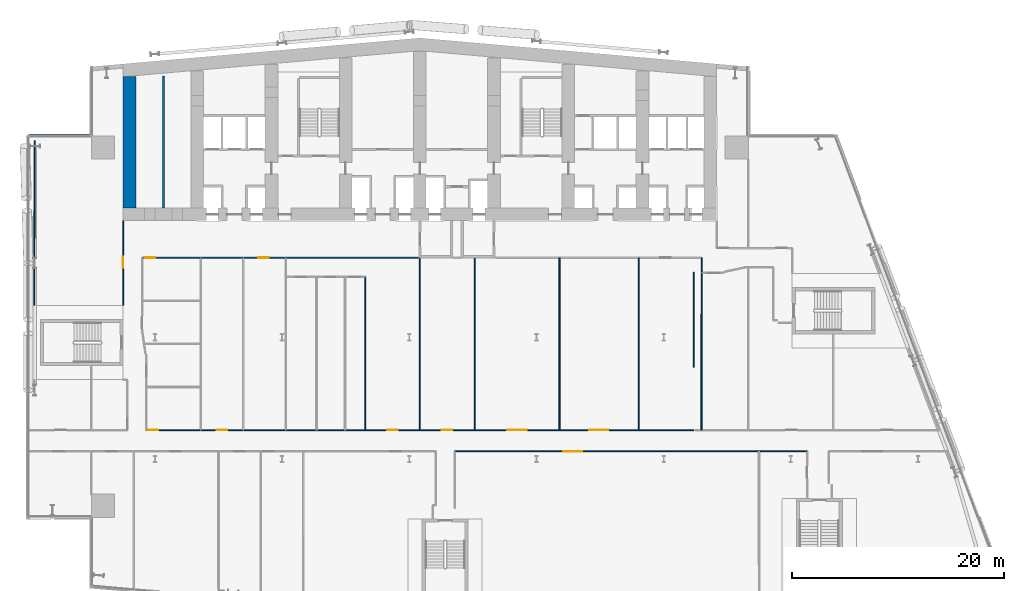
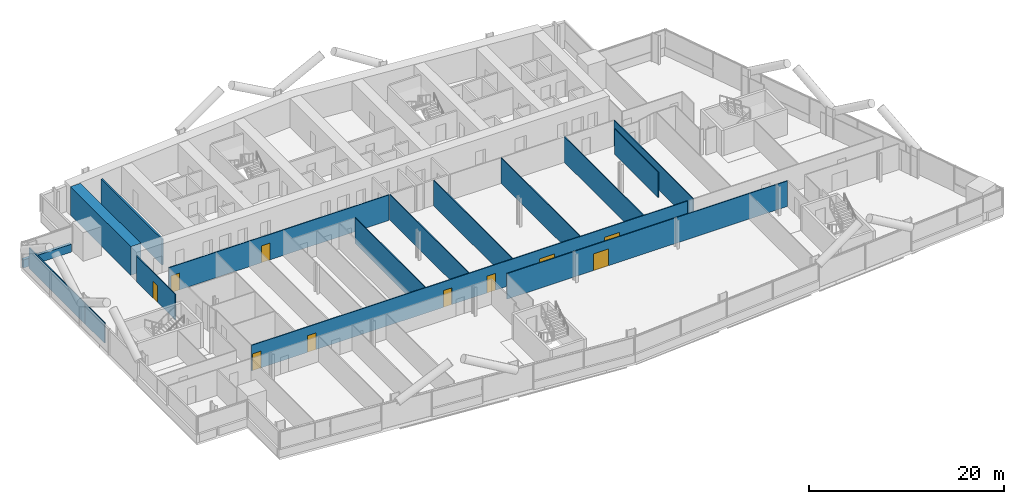
# One storey, part 15 of 27: 16 walls, 10 doors, 10 openings.
"""IFC4 building model written with IfcOpenShell, lengths in metres."""

import ifcopenshell
import ifcopenshell.guid

model = None  # the IFC model being written
_history = None  # IfcOwnerHistory: only IFC2X3 demands one
_inside = {}  # id of a spatial element -> (the spatial element, [elements in it])
_under = {}  # id of a project, library or spatial element -> (it, [spatial elements below it])
_declared = {}  # id of a project -> (the project, [libraries it declares])
_typed = {}  # id of a type object -> (the type object, [elements of that type])
_made_of = {}  # id of a material, layer set ... -> (it, [elements and type objects made of it])


def new_model(schema):
    """Start an empty IFC model of exactly this schema.

    Asked for "IFC4X3", IfcOpenShell would pick the latest addendum, in which some entities
    have other attributes; the version numbers below select the first issue.
    IFC2X3 requires an IfcOwnerHistory on every rooted entity: one is made here for all.
    """
    global model, _history
    if schema == "IFC4X3":
        model = ifcopenshell.file(schema_version=(4, 3, 0, 0))
    else:
        model = ifcopenshell.file(schema=schema)
    _inside.clear()
    _under.clear()
    _declared.clear()
    _typed.clear()
    _made_of.clear()
    _history = None
    if model.schema == "IFC2X3":
        org = make("IfcOrganization", Name="unknown")
        user = make(
            "IfcPersonAndOrganization",
            ThePerson=make("IfcPerson", FamilyName="unknown"),
            TheOrganization=org,
        )
        app = make(
            "IfcApplication",
            ApplicationDeveloper=org,
            Version="unknown",
            ApplicationFullName="unknown",
            ApplicationIdentifier="unknown",
        )
        _history = make(
            "IfcOwnerHistory",
            OwningUser=user,
            OwningApplication=app,
            ChangeAction="ADDED",
            CreationDate=0,
        )
    return model


def make(cls, **values):
    """One entity of the class cls with the attributes given. An attribute that is None is left unset."""
    return model.create_entity(
        cls, **{name: value for name, value in values.items() if value is not None}
    )


def rooted(cls, **values):
    """An entity with a GlobalId (a new one), such as an element, a storey or a relation."""
    return make(cls, GlobalId=ifcopenshell.guid.new(), OwnerHistory=_history, **values)


def si_unit(unit_type, name, prefix=None):
    """IfcSIUnit, for example si_unit("LENGTHUNIT", "METRE", prefix="MILLI")."""
    return make("IfcSIUnit", UnitType=unit_type, Prefix=prefix, Name=name)


def assignment(units):
    """IfcUnitAssignment: the units of a project."""
    return None if units is None else make("IfcUnitAssignment", Units=units)


def point(xyz):
    """IfcCartesianPoint."""
    return None if xyz is None else make("IfcCartesianPoint", Coordinates=xyz)


def direction(xyz):
    """IfcDirection."""
    return None if xyz is None else make("IfcDirection", DirectionRatios=xyz)


def frame(location, z_axis=None, x_axis=None):
    """IfcAxis2Placement3D, a coordinate frame: its origin and axes. An axis left out is left unset."""
    return make(
        "IfcAxis2Placement3D",
        Location=point(location),
        Axis=direction(z_axis),
        RefDirection=direction(x_axis),
    )


def frame_2d(location, x_axis=None):
    """IfcAxis2Placement2D, a coordinate frame in the plane: its origin and x axis."""
    return make(
        "IfcAxis2Placement2D", Location=point(location), RefDirection=direction(x_axis)
    )


def origin():
    """The frame at (0, 0, 0) with its axes left unset."""
    return frame((0.0, 0.0, 0.0))


def place(relative_to, where):
    """IfcLocalPlacement: puts the frame where relative to a parent placement (None: the world)."""
    return make(
        "IfcLocalPlacement", PlacementRelTo=relative_to, RelativePlacement=where
    )


def context(
    kind, dimensions, precision=None, world=None, true_north=None, identifier=None
):
    """IfcGeometricRepresentationContext, for example the 3D "Model" context."""
    return make(
        "IfcGeometricRepresentationContext",
        ContextIdentifier=identifier,
        ContextType=kind,
        CoordinateSpaceDimension=dimensions,
        Precision=precision,
        WorldCoordinateSystem=world,
        TrueNorth=true_north,
    )


def subcontext(parent, identifier, kind, view, scale=None):
    """IfcGeometricRepresentationSubContext, for example "Body" below "Model"."""
    return make(
        "IfcGeometricRepresentationSubContext",
        ContextIdentifier=identifier,
        ContextType=kind,
        ParentContext=parent,
        TargetScale=scale,
        TargetView=view,
    )


def project(units=None, contexts=None):
    """IfcProject with its units and contexts."""
    return rooted(
        "IfcProject",
        Name="project",
        RepresentationContexts=contexts,
        UnitsInContext=assignment(units),
    )


def spatial(cls, under=None, at=None, **own):
    """A site, building, storey or space (cls), placed at a placement, below another one or the project."""
    s = rooted(cls, ObjectPlacement=at, **own)
    if under is not None:
        _under.setdefault(under.id(), (under, []))[1].append(s)
    return s


def profile(cls, at=None, kind="AREA", **sizes):
    """A parametric profile (cls). Its sizes go by their IFC names, for example OverallWidth=200.0."""
    return make(cls, ProfileType=kind, Position=at, **sizes)


def rectangle(**sizes):
    """IfcRectangleProfileDef."""
    return profile("IfcRectangleProfileDef", **sizes)


def extrude(swept, where, along, depth):
    """IfcExtrudedAreaSolid: the profile swept, set in the frame where, extruded along a direction by depth."""
    return make(
        "IfcExtrudedAreaSolid",
        SweptArea=swept,
        Position=where,
        ExtrudedDirection=direction(along),
        Depth=depth,
    )


def shape(context_of_items, identifier, shape_type, items):
    """IfcShapeRepresentation: the items that make up one representation, for example the "Body"."""
    return make(
        "IfcShapeRepresentation",
        ContextOfItems=context_of_items,
        RepresentationIdentifier=identifier,
        RepresentationType=shape_type,
        Items=items,
    )


def material(Name=None, Category=None):
    """IfcMaterial."""
    return make("IfcMaterial", Name=Name, Category=Category)


def layer(
    of_material, thickness, ventilated=None, Name=None, Category=None, Priority=None
):
    """IfcMaterialLayer: one layer of a wall or slab, of a material (None: an air gap)."""
    return make(
        "IfcMaterialLayer",
        Material=of_material,
        LayerThickness=thickness,
        IsVentilated=ventilated,
        Name=Name,
        Category=Category,
        Priority=Priority,
    )


def layer_set(layers, Name=None):
    """IfcMaterialLayerSet."""
    return make("IfcMaterialLayerSet", MaterialLayers=layers, LayerSetName=Name)


def made_of(thing, what):
    """Note that an element or type object is made of a material, layer set ...; save() writes the relation."""
    if what is not None:
        _made_of.setdefault(what.id(), (what, []))[1].append(thing)
    return thing


def type_object(cls, material=None, **own):
    """A type object (cls), such as IfcWallType, which elements share."""
    return made_of(rooted(cls, **own), material)


def element(
    cls,
    number,
    at=None,
    inside=None,
    cuts=None,
    type_object=None,
    material=None,
    context=None,
    identifier="Body",
    shape_type=None,
    held_by="IfcProductDefinitionShape",
    body=None,
    shapes=None,
    **own,
):
    """One element of the class cls, such as IfcWall. Its Tag is "e" and its number.

    at: its placement. inside: the storey or other place that contains it. cuts: it is an
    opening in that element (IfcRelVoidsElement). A single representation is given by context,
    identifier, shape_type and body (its items); several are given by shapes. held_by: the class
    of the entity that holds the representations. save() writes the other relations.
    """
    e = rooted(cls, Tag="e%d" % number, ObjectPlacement=at, **own)
    if body is not None:
        shapes = [shape(context, identifier, shape_type, body)]
    if shapes is not None:
        e.Representation = make(held_by, Representations=shapes)
    if inside is not None:
        _inside.setdefault(inside.id(), (inside, []))[1].append(e)
    if cuts is not None:
        rooted(
            "IfcRelVoidsElement", RelatingBuildingElement=cuts, RelatedOpeningElement=e
        )
    if type_object is not None:
        _typed.setdefault(type_object.id(), (type_object, []))[1].append(e)
    return made_of(e, material)


def fill(opening, filler):
    """IfcRelFillsElement: the door or window that sits in an opening."""
    return rooted(
        "IfcRelFillsElement",
        RelatingOpeningElement=opening,
        RelatedBuildingElement=filler,
    )


def aggregate(whole, parts):
    """IfcRelAggregates: a whole, such as a stair, and the parts it consists of."""
    return rooted("IfcRelAggregates", RelatingObject=whole, RelatedObjects=parts)


def save(model, path):
    """Write the relations noted so far, then the file.

    IfcRelAggregates (storeys below a building ...), IfcRelContainedInSpatialStructure (elements
    in a storey), IfcRelDefinesByType, IfcRelAssociatesMaterial and IfcRelDeclares: one each for
    every whole, place, type object, material and project.
    """
    for whole, parts in _under.values():
        aggregate(whole, parts)
    for where, things in _inside.values():
        rooted(
            "IfcRelContainedInSpatialStructure",
            RelatedElements=things,
            RelatingStructure=where,
        )
    for kind, things in _typed.values():
        rooted("IfcRelDefinesByType", RelatedObjects=things, RelatingType=kind)
    for what, things in _made_of.values():
        rooted("IfcRelAssociatesMaterial", RelatedObjects=things, RelatingMaterial=what)
    for by, libraries in _declared.values():
        rooted("IfcRelDeclares", RelatingContext=by, RelatedDefinitions=libraries)
    model.write(path)


model = new_model("IFC4")

# Units and contexts
model_context = context("Model", 3, precision=1e-05, world=origin(), true_north=direction((0.0, 1.0)))
body_context = subcontext(model_context, "Body", "Model", "MODEL_VIEW")
ifc_project = project(units=[si_unit("LENGTHUNIT", "METRE"), si_unit("AREAUNIT", "SQUARE_METRE"), si_unit("VOLUMEUNIT", "CUBIC_METRE"), si_unit("PLANEANGLEUNIT", "RADIAN"), si_unit("MASSUNIT", "GRAM", prefix="KILO")], contexts=[model_context])

# Site, building, storey
site_placement = place(None, origin())
site = spatial("IfcSite", under=ifc_project, at=site_placement, CompositionType="ELEMENT")
building_placement = place(site_placement, origin())
building = spatial("IfcBuilding", under=site, at=building_placement, Name="Wharfspan Tower", CompositionType="ELEMENT")
storey_placement = place(building_placement, frame((0.0, 0.0, 45.100098)))
storey = spatial("IfcBuildingStorey", under=building, at=storey_placement, Name="L07", CompositionType="ELEMENT", Elevation=45.100098)

# Wall, opening, door
ifc_material_1 = material(Name="Gypsum board on steel studs", Category="steel")
ifc_layer_1 = layer(ifc_material_1, 0.100098)
ifc_layer_set_1 = layer_set([ifc_layer_1], Name="Gypsum board on steel studs")
wall_type_1 = type_object("IfcWallType", Name="Compartment wall 100 EI 60", PredefinedType="PARTITIONING", material=ifc_layer_set_1)
wall_1_placement = place(storey_placement, frame((9.0, 26.02002, 0.0), z_axis=(0.0, 0.0, 1.0), x_axis=(0.0, 1.0, 0.0)))
wall_1 = element("IfcWall", 1, at=wall_1_placement, inside=storey, type_object=wall_type_1, Name="Partition L07.w008", PredefinedType="PARTITIONING", context=body_context, shape_type="SweptSolid", body=[
    extrude(rectangle(XDim=7.959961, YDim=0.100098, at=frame_2d((3.97998, 0.0))), origin(), (0.0, 0.0, 1.0), 3.199951),
])
opening_1_placement = place(wall_1_placement, frame((3.560059, 0.0, 0.0)))
opening_1 = element("IfcOpeningElement", 2, at=opening_1_placement, cuts=wall_1, Name="Opening A1-26", PredefinedType="OPENING", context=body_context, shape_type="SweptSolid", body=[
    extrude(rectangle(XDim=1.0, YDim=2.100098, at=frame_2d((0.5, 1.050049))), frame((0.0, 0.060059, 0.0), z_axis=(0.0, -1.0, 0.0), x_axis=(1.0, 0.0, 0.0)), (0.0, 0.0, 1.0), 0.120117),
])
ifc_material_2 = material(Name="Fire-rated timber door leaf in steel frame", Category="steel")
door_type_1 = type_object("IfcDoorType", Name="Door 1000 FD30S Right", OperationType="SINGLE_SWING_RIGHT", PredefinedType="DOOR", material=ifc_material_2)
door_1_placement = place(opening_1_placement, origin())
door_1 = element("IfcDoor", 3, at=door_1_placement, inside=storey, type_object=door_type_1, Name="Door A1-26", OperationType="SINGLE_SWING_RIGHT", OverallHeight=2.100098, OverallWidth=1.0, PredefinedType="DOOR", context=body_context, shape_type="SweptSolid", body=[
    extrude(rectangle(XDim=1.0, YDim=2.100098, at=frame_2d((0.5, 1.050049))), frame((0.0, 0.024902, 0.0), z_axis=(0.0, -1.0, 0.0), x_axis=(1.0, 0.0, 0.0)), (0.0, 0.0, 1.0), 0.050049),
])
fill(opening_1, door_1)

# Wall, openings, doors
wall_2_placement = place(storey_placement, frame((10.800049, 30.5, 0.0), z_axis=(0.0, 0.0, 1.0), x_axis=(1.0, 0.0, 0.0)))
wall_2 = element("IfcWall", 4, at=wall_2_placement, inside=storey, type_object=wall_type_1, Name="Partition L07.w014", PredefinedType="PARTITIONING", context=body_context, shape_type="SweptSolid", body=[
    extrude(rectangle(XDim=26.050049, YDim=0.100098, at=frame_2d((13.024902, 0.0))), origin(), (0.0, 0.0, 1.0), 3.199951),
])
opening_2_placement = place(wall_2_placement, frame((0.235107, 0.0, 0.0)))
opening_2 = element("IfcOpeningElement", 5, at=opening_2_placement, cuts=wall_2, Name="Opening A1-27", PredefinedType="OPENING", context=body_context, shape_type="SweptSolid", body=[
    extrude(rectangle(XDim=1.0, YDim=2.100098, at=frame_2d((0.5, 1.050049))), frame((0.0, 0.060059, 0.0), z_axis=(0.0, -1.0, 0.0), x_axis=(1.0, 0.0, 0.0)), (0.0, 0.0, 1.0), 0.120117),
])
opening_3_placement = place(wall_2_placement, frame((10.955078, 0.0, 0.0)))
opening_3 = element("IfcOpeningElement", 6, at=opening_3_placement, cuts=wall_2, Name="Opening A1-28", PredefinedType="OPENING", context=body_context, shape_type="SweptSolid", body=[
    extrude(rectangle(XDim=1.0, YDim=2.100098, at=frame_2d((0.5, 1.050049))), frame((0.0, 0.060059, 0.0), z_axis=(0.0, -1.0, 0.0), x_axis=(1.0, 0.0, 0.0)), (0.0, 0.0, 1.0), 0.120117),
])
door_type_2 = type_object("IfcDoorType", Name="Door 1000 FD30S Left", OperationType="SINGLE_SWING_LEFT", PredefinedType="DOOR", material=ifc_material_2)
door_2_placement = place(opening_2_placement, origin())
door_2 = element("IfcDoor", 7, at=door_2_placement, inside=storey, type_object=door_type_2, Name="Door A1-27", OperationType="SINGLE_SWING_LEFT", OverallHeight=2.100098, OverallWidth=1.0, PredefinedType="DOOR", context=body_context, shape_type="SweptSolid", body=[
    extrude(rectangle(XDim=1.0, YDim=2.100098, at=frame_2d((0.5, 1.050049))), frame((0.0, 0.024902, 0.0), z_axis=(0.0, -1.0, 0.0), x_axis=(1.0, 0.0, 0.0)), (0.0, 0.0, 1.0), 0.050049),
])
fill(opening_2, door_2)
door_3_placement = place(opening_3_placement, origin())
door_3 = element("IfcDoor", 8, at=door_3_placement, inside=storey, type_object=door_type_2, Name="Door A1-28", OperationType="SINGLE_SWING_LEFT", OverallHeight=2.100098, OverallWidth=1.0, PredefinedType="DOOR", context=body_context, shape_type="SweptSolid", body=[
    extrude(rectangle(XDim=1.0, YDim=2.100098, at=frame_2d((0.5, 1.050049))), frame((0.0, 0.024902, 0.0), z_axis=(0.0, -1.0, 0.0), x_axis=(1.0, 0.0, 0.0)), (0.0, 0.0, 1.0), 0.050049),
])
fill(opening_3, door_3)

wall_3_placement = place(storey_placement, frame((11.199951, 14.23999, 0.0), z_axis=(0.0, 0.0, 1.0), x_axis=(1.0, 0.0, 0.0)))
wall_3 = element("IfcWall", 9, at=wall_3_placement, inside=storey, type_object=wall_type_1, Name="Partition L07.w020", PredefinedType="PARTITIONING", context=body_context, shape_type="SweptSolid", body=[
    extrude(rectangle(XDim=51.63501, YDim=0.100098, at=frame_2d((25.817383, 0.0))), origin(), (0.0, 0.0, 1.0), 3.199951),
])
opening_4_placement = place(wall_3_placement, frame((0.11499, 0.0, 0.0)))
opening_4 = element("IfcOpeningElement", 10, at=opening_4_placement, cuts=wall_3, Name="Opening A1-11", PredefinedType="OPENING", context=body_context, shape_type="SweptSolid", body=[
    extrude(rectangle(XDim=1.0, YDim=2.100098, at=frame_2d((0.5, 1.050049))), frame((0.0, 0.060059, 0.0), z_axis=(0.0, -1.0, 0.0), x_axis=(1.0, 0.0, 0.0)), (0.0, 0.0, 1.0), 0.120117),
])
opening_5_placement = place(wall_3_placement, frame((6.63501, 0.0, 0.0)))
opening_5 = element("IfcOpeningElement", 11, at=opening_5_placement, cuts=wall_3, Name="Opening A1-12", PredefinedType="OPENING", context=body_context, shape_type="SweptSolid", body=[
    extrude(rectangle(XDim=1.0, YDim=2.100098, at=frame_2d((0.5, 1.050049))), frame((0.0, 0.060059, 0.0), z_axis=(0.0, -1.0, 0.0), x_axis=(1.0, 0.0, 0.0)), (0.0, 0.0, 1.0), 0.120117),
])
opening_6_placement = place(wall_3_placement, frame((22.699951, 0.0, 0.0)))
opening_6 = element("IfcOpeningElement", 12, at=opening_6_placement, cuts=wall_3, Name="Opening A1-13", PredefinedType="OPENING", context=body_context, shape_type="SweptSolid", body=[
    extrude(rectangle(XDim=1.0, YDim=2.100098, at=frame_2d((0.5, 1.050049))), frame((0.0, 0.060059, 0.0), z_axis=(0.0, -1.0, 0.0), x_axis=(1.0, 0.0, 0.0)), (0.0, 0.0, 1.0), 0.120117),
])
opening_7_placement = place(wall_3_placement, frame((27.86499, 0.0, 0.0)))
opening_7 = element("IfcOpeningElement", 13, at=opening_7_placement, cuts=wall_3, Name="Opening A1-14", PredefinedType="OPENING", context=body_context, shape_type="SweptSolid", body=[
    extrude(rectangle(XDim=1.0, YDim=2.100098, at=frame_2d((0.5, 1.050049))), frame((0.0, 0.060059, 0.0), z_axis=(0.0, -1.0, 0.0), x_axis=(1.0, 0.0, 0.0)), (0.0, 0.0, 1.0), 0.120117),
])
opening_8_placement = place(wall_3_placement, frame((34.064941, 0.0, 0.0)))
opening_8 = element("IfcOpeningElement", 14, at=opening_8_placement, cuts=wall_3, Name="Opening A1-15", PredefinedType="OPENING", context=body_context, shape_type="SweptSolid", body=[
    extrude(rectangle(XDim=1.800049, YDim=2.100098, at=frame_2d((0.899902, 1.050049))), frame((0.0, 0.060059, 0.0), z_axis=(0.0, -1.0, 0.0), x_axis=(1.0, 0.0, 0.0)), (0.0, 0.0, 1.0), 0.120117),
])
opening_9_placement = place(wall_3_placement, frame((41.764893, 0.0, 0.0)))
opening_9 = element("IfcOpeningElement", 15, at=opening_9_placement, cuts=wall_3, Name="Opening A1-16", PredefinedType="OPENING", context=body_context, shape_type="SweptSolid", body=[
    extrude(rectangle(XDim=1.800049, YDim=2.100098, at=frame_2d((0.899902, 1.050049))), frame((0.0, 0.060059, 0.0), z_axis=(0.0, -1.0, 0.0), x_axis=(1.0, 0.0, 0.0)), (0.0, 0.0, 1.0), 0.120117),
])
door_4_placement = place(opening_4_placement, origin())
door_4 = element("IfcDoor", 16, at=door_4_placement, inside=storey, type_object=door_type_2, Name="Door A1-11", OperationType="SINGLE_SWING_LEFT", OverallHeight=2.100098, OverallWidth=1.0, PredefinedType="DOOR", context=body_context, shape_type="SweptSolid", body=[
    extrude(rectangle(XDim=1.0, YDim=2.100098, at=frame_2d((0.5, 1.050049))), frame((0.0, 0.024902, 0.0), z_axis=(0.0, -1.0, 0.0), x_axis=(1.0, 0.0, 0.0)), (0.0, 0.0, 1.0), 0.050049),
])
fill(opening_4, door_4)
door_5_placement = place(opening_5_placement, origin())
door_5 = element("IfcDoor", 17, at=door_5_placement, inside=storey, type_object=door_type_2, Name="Door A1-12", OperationType="SINGLE_SWING_LEFT", OverallHeight=2.100098, OverallWidth=1.0, PredefinedType="DOOR", context=body_context, shape_type="SweptSolid", body=[
    extrude(rectangle(XDim=1.0, YDim=2.100098, at=frame_2d((0.5, 1.050049))), frame((0.0, 0.024902, 0.0), z_axis=(0.0, -1.0, 0.0), x_axis=(1.0, 0.0, 0.0)), (0.0, 0.0, 1.0), 0.050049),
])
fill(opening_5, door_5)
door_6_placement = place(opening_6_placement, origin())
door_6 = element("IfcDoor", 18, at=door_6_placement, inside=storey, type_object=door_type_2, Name="Door A1-13", OperationType="SINGLE_SWING_LEFT", OverallHeight=2.100098, OverallWidth=1.0, PredefinedType="DOOR", context=body_context, shape_type="SweptSolid", body=[
    extrude(rectangle(XDim=1.0, YDim=2.100098, at=frame_2d((0.5, 1.050049))), frame((0.0, 0.024902, 0.0), z_axis=(0.0, -1.0, 0.0), x_axis=(1.0, 0.0, 0.0)), (0.0, 0.0, 1.0), 0.050049),
])
fill(opening_6, door_6)
door_7_placement = place(opening_7_placement, origin())
door_7 = element("IfcDoor", 19, at=door_7_placement, inside=storey, type_object=door_type_1, Name="Door A1-14", OperationType="SINGLE_SWING_RIGHT", OverallHeight=2.100098, OverallWidth=1.0, PredefinedType="DOOR", context=body_context, shape_type="SweptSolid", body=[
    extrude(rectangle(XDim=1.0, YDim=2.100098, at=frame_2d((0.5, 1.050049))), frame((0.0, 0.024902, 0.0), z_axis=(0.0, -1.0, 0.0), x_axis=(1.0, 0.0, 0.0)), (0.0, 0.0, 1.0), 0.050049),
])
fill(opening_7, door_7)
door_type_3 = type_object("IfcDoorType", Name="Door 1800 FD30S Double", OperationType="DOUBLE_DOOR_SINGLE_SWING", PredefinedType="DOOR", material=ifc_material_2)
door_8_placement = place(opening_8_placement, origin())
door_8 = element("IfcDoor", 20, at=door_8_placement, inside=storey, type_object=door_type_3, Name="Door A1-15", OperationType="DOUBLE_DOOR_SINGLE_SWING", OverallHeight=2.100098, OverallWidth=1.800049, PredefinedType="DOOR", context=body_context, shape_type="SweptSolid", body=[
    extrude(rectangle(XDim=1.800049, YDim=2.100098, at=frame_2d((0.899902, 1.050049))), frame((0.0, 0.024902, 0.0), z_axis=(0.0, -1.0, 0.0), x_axis=(1.0, 0.0, 0.0)), (0.0, 0.0, 1.0), 0.050049),
])
fill(opening_8, door_8)
door_9_placement = place(opening_9_placement, origin())
door_9 = element("IfcDoor", 21, at=door_9_placement, inside=storey, type_object=door_type_3, Name="Door A1-16", OperationType="DOUBLE_DOOR_SINGLE_SWING", OverallHeight=2.100098, OverallWidth=1.800049, PredefinedType="DOOR", context=body_context, shape_type="SweptSolid", body=[
    extrude(rectangle(XDim=1.800049, YDim=2.100098, at=frame_2d((0.899902, 1.050049))), frame((0.0, 0.024902, 0.0), z_axis=(0.0, -1.0, 0.0), x_axis=(1.0, 0.0, 0.0)), (0.0, 0.0, 1.0), 0.050049),
])
fill(opening_9, door_9)

# Walls
wall_4_placement = place(storey_placement, frame((31.834961, 14.23999, 0.0), z_axis=(0.0, 0.0, 1.0), x_axis=(0.0, 1.0, 0.0)))
element("IfcWall", 22, at=wall_4_placement, inside=storey, type_object=wall_type_1, Name="Partition L07.w033", PredefinedType="PARTITIONING", context=body_context, shape_type="SweptSolid", body=[
    extrude(rectangle(XDim=14.459961, YDim=0.100098, at=frame_2d((7.22998, 0.0))), origin(), (0.0, 0.0, 1.0), 3.199951),
])
wall_5_placement = place(storey_placement, frame((37.0, 14.23999, 0.0), z_axis=(0.0, 0.0, 1.0), x_axis=(0.0, 1.0, 0.0)))
element("IfcWall", 23, at=wall_5_placement, inside=storey, type_object=wall_type_1, Name="Partition L07.w035", PredefinedType="PARTITIONING", context=body_context, shape_type="SweptSolid", body=[
    extrude(rectangle(XDim=16.26001, YDim=0.100098, at=frame_2d((8.129883, 0.0))), origin(), (0.0, 0.0, 1.0), 3.199951),
])

# Wall, opening, door
wall_6_placement = place(storey_placement, frame((40.284912, 12.23999, 0.0), z_axis=(0.0, 0.0, 1.0), x_axis=(1.0, 0.0, 0.0)))
wall_6 = element("IfcWall", 24, at=wall_6_placement, inside=storey, type_object=wall_type_1, Name="Partition L07.w040", PredefinedType="PARTITIONING", context=body_context, shape_type="SweptSolid", body=[
    extrude(rectangle(XDim=33.255127, YDim=0.100098, at=frame_2d((16.627441, 0.0))), origin(), (0.0, 0.0, 1.0), 3.199951),
])
opening_10_placement = place(wall_6_placement, frame((10.235107, 0.0, 0.0)))
opening_10 = element("IfcOpeningElement", 25, at=opening_10_placement, cuts=wall_6, Name="Opening A1-08", PredefinedType="OPENING", context=body_context, shape_type="SweptSolid", body=[
    extrude(rectangle(XDim=1.800049, YDim=2.100098, at=frame_2d((0.899902, 1.050049))), frame((0.0, 0.060059, 0.0), z_axis=(0.0, -1.0, 0.0), x_axis=(1.0, 0.0, 0.0)), (0.0, 0.0, 1.0), 0.120117),
])
door_10_placement = place(opening_10_placement, origin())
door_10 = element("IfcDoor", 26, at=door_10_placement, inside=storey, type_object=door_type_3, Name="Door A1-08", OperationType="DOUBLE_DOOR_SINGLE_SWING", OverallHeight=2.100098, OverallWidth=1.800049, PredefinedType="DOOR", context=body_context, shape_type="SweptSolid", body=[
    extrude(rectangle(XDim=1.800049, YDim=2.100098, at=frame_2d((0.899902, 1.050049))), frame((0.0, 0.024902, 0.0), z_axis=(0.0, -1.0, 0.0), x_axis=(1.0, 0.0, 0.0)), (0.0, 0.0, 1.0), 0.050049),
])
fill(opening_10, door_10)

# Walls
for number, where, z_axis, x_axis, name in (
    (27, (42.169922, 14.23999, 0.0), (0.0, 0.0, 1.0), (0.0, 1.0, 0.0), "Partition L07.w041"),
    (28, (50.169922, 14.23999, 0.0), (0.0, 0.0, 1.0), (0.0, 1.0, 0.0), "Partition L07.w042"),
    (29, (57.669922, 14.23999, 0.0), (0.0, 0.0, 1.0), (0.0, 1.0, 0.0), "Partition L07.w043"),
):
    element("IfcWall", number, at=place(storey_placement, frame(where, z_axis=z_axis, x_axis=x_axis)), inside=storey, type_object=wall_type_1, Name=name, PredefinedType="PARTITIONING", context=body_context, shape_type="SweptSolid", body=[
        extrude(rectangle(XDim=16.26001, YDim=0.100098, at=frame_2d((8.129883, 0.0))), origin(), (0.0, 0.0, 1.0), 3.199951),
    ])
wall_7_placement = place(storey_placement, frame((63.570068, 14.245117, 0.0), z_axis=(0.0, 0.0, 1.0), x_axis=(0.000331, 1.000002, 0.0)))
element("IfcWall", 30, at=wall_7_placement, inside=storey, type_object=wall_type_1, Name="Partition L07.w048", PredefinedType="PARTITIONING", context=body_context, shape_type="SweptSolid", body=[
    extrude(rectangle(XDim=16.233398, YDim=0.100098, at=frame_2d((8.116699, 0.0))), origin(), (0.0, 0.0, 1.0), 3.199951),
])
ifc_material_3 = material(Name="Calcium silicate masonry", Category="masonry")
ifc_layer_2 = layer(ifc_material_3, 0.199951)
ifc_layer_set_2 = layer_set([ifc_layer_2], Name="Calcium silicate masonry")
wall_type_2 = type_object("IfcWallType", Name="Core room wall 200", PredefinedType="PARTITIONING", material=ifc_layer_set_2)
wall_8_placement = place(storey_placement, frame((12.800049, 35.199951, 0.0), z_axis=(0.0, 0.0, 1.0), x_axis=(0.0, 1.0, 0.0)))
element("IfcWall", 31, at=wall_8_placement, inside=storey, type_object=wall_type_2, Name="sw:L07:RM0", PredefinedType="PARTITIONING", context=body_context, shape_type="SweptSolid", body=[
    extrude(rectangle(XDim=12.467773, YDim=0.199951, at=frame_2d((6.233887, 0.0))), origin(), (0.0, 0.0, 1.0), 3.199951),
])
ifc_material_4 = material(Name="Concrete C70/85", Category="concrete")
ifc_layer_3 = layer(ifc_material_4, 1.199951)
ifc_layer_set_3 = layer_set([ifc_layer_3], Name="Concrete C70/85")
wall_type_3 = type_object("IfcWallType", Name="Core wall 1200 C70/85", PredefinedType="SHEAR", material=ifc_layer_set_3)
wall_9_placement = place(storey_placement, frame((9.600098, 35.199951, 0.0), z_axis=(0.0, 0.0, 1.0), x_axis=(0.0, 1.0, 0.0)))
element("IfcWall", 32, at=wall_9_placement, inside=storey, type_object=wall_type_3, Name="Core cross wall EW0 L07", PredefinedType="SHEAR", context=body_context, shape_type="SweptSolid", body=[
    extrude(rectangle(XDim=12.382812, YDim=1.199951, at=frame_2d((6.191406, 0.0))), origin(), (0.0, 0.0, 1.0), 3.599854),
])
ifc_layer_4 = layer(ifc_material_1, 0.100098)
ifc_layer_set_4 = layer_set([ifc_layer_4], Name="Gypsum board on steel studs")
wall_type_4 = type_object("IfcWallType", Name="Partition 100", PredefinedType="PARTITIONING", material=ifc_layer_set_4)
wall_10_placement = place(storey_placement, frame((0.629883, 26.02002, 0.0), z_axis=(0.0, 0.0, 1.0), x_axis=(0.0, 1.0, 0.0)))
element("IfcWall", 33, at=wall_10_placement, inside=storey, type_object=wall_type_4, Name="Partition L07.w004", PredefinedType="PARTITIONING", context=body_context, shape_type="SweptSolid", body=[
    extrude(rectangle(XDim=3.97998, YDim=0.100098, at=frame_2d((1.98999, 0.0))), origin(), (0.0, 0.0, 1.0), 2.579834),
])
wall_11_placement = place(storey_placement, frame((0.629883, 30.0, 0.0), z_axis=(0.0, 0.0, 1.0), x_axis=(0.00218, 0.999994, 0.0)))
element("IfcWall", 34, at=wall_11_placement, inside=storey, type_object=wall_type_4, Name="Partition L07.w005", PredefinedType="PARTITIONING", context=body_context, shape_type="SweptSolid", body=[
    extrude(rectangle(XDim=11.534912, YDim=0.100098, at=frame_2d((5.767578, 0.0))), origin(), (0.0, 0.0, 1.0), 2.579834),
])
wall_12_placement = place(storey_placement, frame((62.834961, 20.175049, 0.0), z_axis=(0.0, 0.0, 1.0), x_axis=(0.0, 1.0, 0.0)))
element("IfcWall", 35, at=wall_12_placement, inside=storey, type_object=wall_type_4, Name="Partition L07.w045", PredefinedType="PARTITIONING", context=body_context, shape_type="SweptSolid", body=[
    extrude(rectangle(XDim=8.935303, YDim=0.100098, at=frame_2d((4.467773, 0.0))), origin(), (0.0, 0.0, 1.0), 3.199951),
])
ifc_material_5 = material(Name="Concrete C40/50", Category="concrete")
ifc_layer_5 = layer(ifc_material_5, 0.350098)
ifc_layer_set_5 = layer_set([ifc_layer_5], Name="Concrete C40/50")
wall_type_5 = type_object("IfcWallType", Name="SPANDREL EXPOSED CONCRETE 350", PredefinedType="SOLIDWALL", material=ifc_layer_set_5)
wall_13_placement = place(storey_placement, frame((5.820068, 42.004883, 0.0), z_axis=(0.0, 0.0, 1.0), x_axis=(-1.0, 0.0, 0.0)))
element("IfcWall", 36, at=wall_13_placement, inside=storey, type_object=wall_type_5, Name="Spandrel upstand L07 NRW-H", PredefinedType="SOLIDWALL", context=body_context, shape_type="SweptSolid", body=[
    extrude(rectangle(XDim=5.699951, YDim=0.350098, at=frame_2d((2.850098, 0.0))), origin(), (0.0, 0.0, 1.0), 1.0),
])

save(model, "model.ifc")
